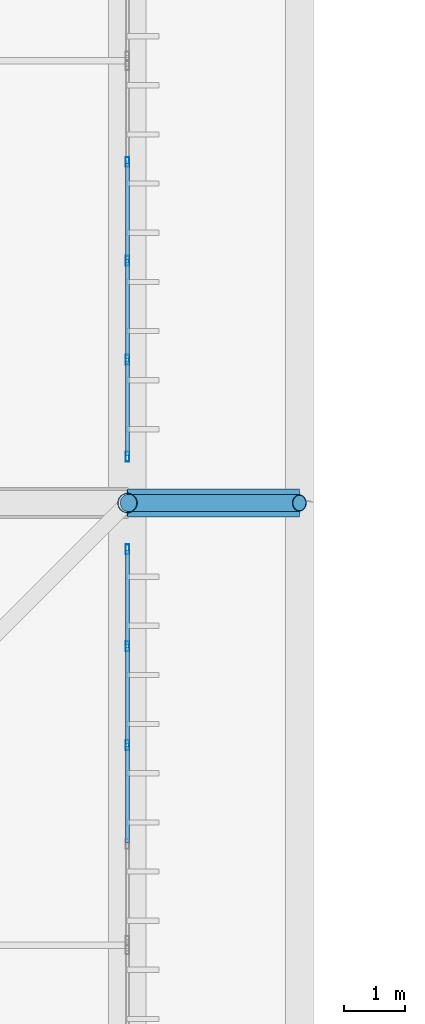
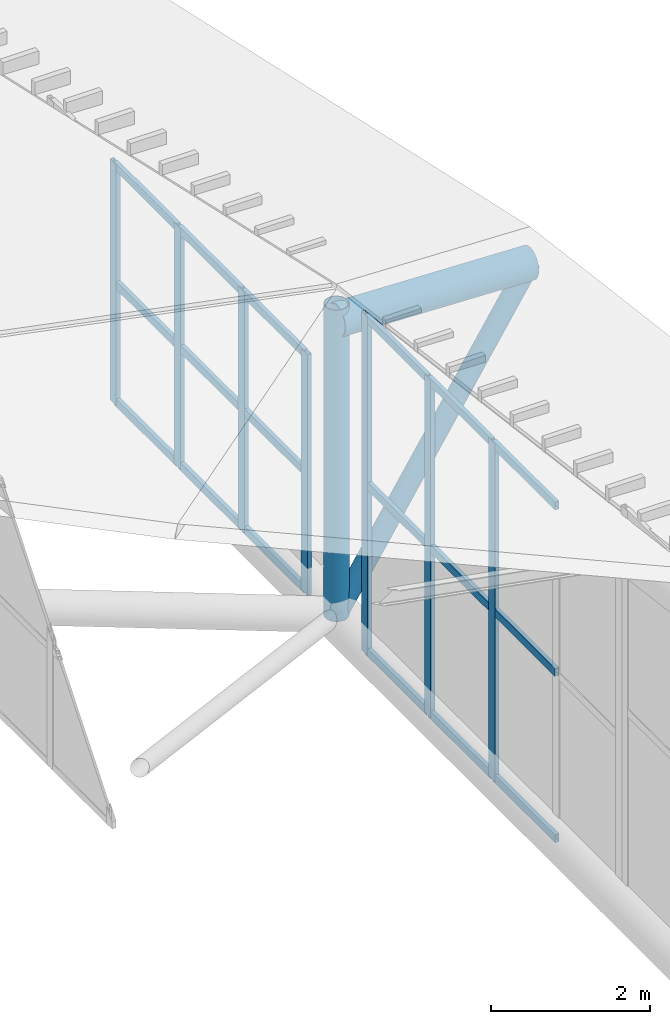
# One storey, part 344 of 397: 27 members, 1 beam, 2 elements without a shape of their own.
"""IFC4 building model written with IfcOpenShell, lengths in metres."""

from ifc_helpers import new_model, si_unit, direction, frame, origin, origin_2d, place, context, subcontext, project, spatial, hollow_rectangle, hollow_circle, extrude, material, material_profile, profile_set, type_object, element, aggregate, save


model = new_model("IFC4")

# Units and contexts
model_context = context("Model", 3, precision=1e-05, world=origin(), true_north=direction((0.0, 1.0)))
body_context = subcontext(model_context, "Body", "Model", "MODEL_VIEW")
ifc_project = project(units=[si_unit("LENGTHUNIT", "METRE"), si_unit("AREAUNIT", "SQUARE_METRE"), si_unit("VOLUMEUNIT", "CUBIC_METRE"), si_unit("PLANEANGLEUNIT", "RADIAN"), si_unit("MASSUNIT", "GRAM", prefix="KILO")], contexts=[model_context])

# Site, building, storey
site_placement = place(None, origin())
site = spatial("IfcSite", under=ifc_project, at=site_placement, CompositionType="ELEMENT")
building_placement = place(site_placement, origin())
building = spatial("IfcBuilding", under=site, at=building_placement, Name="Qandorah Velis Arena", CompositionType="ELEMENT")
storey_placement = place(building_placement, frame((0.0, 0.0, 27.5)))
storey = spatial("IfcBuildingStorey", under=building, at=storey_placement, Name="RF", CompositionType="ELEMENT", Elevation=27.5)

# Curtain wall, members
ifc_material_1 = material(Name="Solar-control low-E double glazing", Category="glass")
curtain_wall_type = type_object("IfcCurtainWallType", Name="ARC-CW-SYS16", PredefinedType="USERDEFINED", material=ifc_material_1)
curtain_wall_1_placement = place(storey_placement, origin())
curtain_wall_1 = element("IfcCurtainWall", 1, at=curtain_wall_1_placement, inside=storey, type_object=curtain_wall_type, Name="Unitised curtain wall CROWN-2-07S2", ObjectType="UNITISED CURTAIN WALL", PredefinedType="USERDEFINED")
ifc_material_2 = material(Name="Champagne-bronze anodized aluminium 6063-T6", Category="aluminium")
ifc_material_profile_1 = material_profile(ifc_material_2, hollow_rectangle(XDim=0.06005859375, YDim=0.159912109375, WallThickness=0.00341796875, at=origin_2d()), Name="ALU MULLION 60x160")
ifc_profile_set_1 = profile_set([ifc_material_profile_1], Name="Champagne-bronze anodized aluminium 6063-T6")
member_type_1 = type_object("IfcMemberType", Name="ARC-CWM-160", PredefinedType="MULLION", material=ifc_profile_set_1)
member_1_placement = place(storey_placement, frame((115.199951171875, 96.857421875, -0.014892578125), z_axis=(0.0, 0.0, 1.0), x_axis=(-1.0, 0.0, 0.0)))
member_1 = element("IfcMember", 2, at=member_1_placement, type_object=member_type_1, Name="CW16 mullion 3", PredefinedType="MULLION", context=body_context, shape_type="SweptSolid", body=[
    extrude(hollow_rectangle(XDim=0.06005859375, YDim=0.159912109375, WallThickness=0.00341796875, at=origin_2d()), origin(), (0.0, 0.0, 1.0), 5.180908203125),
])
member_2_placement = place(storey_placement, frame((115.199951171875, 98.46630859375, -0.014892578125), z_axis=(0.0, 0.0, 1.0), x_axis=(-1.0, 0.0, 0.0)))
member_2 = element("IfcMember", 3, at=member_2_placement, type_object=member_type_1, Name="CW16 mullion 4", PredefinedType="MULLION", context=body_context, shape_type="SweptSolid", body=[
    extrude(hollow_rectangle(XDim=0.06005859375, YDim=0.159912109375, WallThickness=0.00341796875, at=origin_2d()), origin(), (0.0, 0.0, 1.0), 5.180908203125),
])
member_3_placement = place(storey_placement, frame((115.199951171875, 100.044921875, -0.014892578125), z_axis=(0.0, 0.0, 1.0), x_axis=(-1.0, 0.0, 0.0)))
member_3 = element("IfcMember", 4, at=member_3_placement, type_object=member_type_1, Name="CW16 mullion 5", PredefinedType="MULLION", context=body_context, shape_type="SweptSolid", body=[
    extrude(hollow_rectangle(XDim=0.06005859375, YDim=0.159912109375, WallThickness=0.00341796875, at=origin_2d()), origin(), (0.0, 0.0, 1.0), 5.180908203125),
])

curtain_wall_2_placement = place(storey_placement, origin())
curtain_wall_2 = element("IfcCurtainWall", 5, at=curtain_wall_2_placement, inside=storey, type_object=curtain_wall_type, Name="Unitised curtain wall CROWN-2-08S1", ObjectType="UNITISED CURTAIN WALL", PredefinedType="USERDEFINED")
member_4_placement = place(storey_placement, frame((115.199951171875, 101.554931640625, -0.014892578125), z_axis=(0.0, 0.0, 1.0), x_axis=(-1.0, 0.0, 0.0)))
member_4 = element("IfcMember", 6, at=member_4_placement, type_object=member_type_1, Name="CW16 mullion 1", PredefinedType="MULLION", context=body_context, shape_type="SweptSolid", body=[
    extrude(hollow_rectangle(XDim=0.06005859375, YDim=0.159912109375, WallThickness=0.00341796875, at=origin_2d()), origin(), (0.0, 0.0, 1.0), 3.6904296875),
])
member_5_placement = place(storey_placement, frame((115.199951171875, 103.1337890625, -0.014892578125), z_axis=(0.0, 0.0, 1.0), x_axis=(-1.0, 0.0, 0.0)))
member_5 = element("IfcMember", 7, at=member_5_placement, type_object=member_type_1, Name="CW16 mullion 2", PredefinedType="MULLION", context=body_context, shape_type="SweptSolid", body=[
    extrude(hollow_rectangle(XDim=0.06005859375, YDim=0.159912109375, WallThickness=0.00341796875, at=origin_2d()), origin(), (0.0, 0.0, 1.0), 3.6904296875),
])
member_6_placement = place(storey_placement, frame((115.199951171875, 104.742431640625, -0.014892578125), z_axis=(0.0, 0.0, 1.0), x_axis=(-1.0, 0.0, 0.0)))
member_6 = element("IfcMember", 8, at=member_6_placement, type_object=member_type_1, Name="CW16 mullion 3", PredefinedType="MULLION", context=body_context, shape_type="SweptSolid", body=[
    extrude(hollow_rectangle(XDim=0.06005859375, YDim=0.159912109375, WallThickness=0.00341796875, at=origin_2d()), origin(), (0.0, 0.0, 1.0), 3.6904296875),
])
member_7_placement = place(storey_placement, frame((115.199951171875, 106.351318359375, -0.014892578125), z_axis=(0.0, 0.0, 1.0), x_axis=(-1.0, 0.0, 0.0)))
member_7 = element("IfcMember", 9, at=member_7_placement, type_object=member_type_1, Name="CW16 mullion 4", PredefinedType="MULLION", context=body_context, shape_type="SweptSolid", body=[
    extrude(hollow_rectangle(XDim=0.06005859375, YDim=0.159912109375, WallThickness=0.00341796875, at=origin_2d()), origin(), (0.0, 0.0, 1.0), 3.6904296875),
])

# Member
ifc_material_profile_2 = material_profile(ifc_material_2, hollow_rectangle(XDim=0.06005859375, YDim=0.1201171875, WallThickness=0.0029296875, at=origin_2d()), Name="ALU TRANSOM 60x120")
ifc_profile_set_2 = profile_set([ifc_material_profile_2], Name="Champagne-bronze anodized aluminium 6063-T6")
member_type_2 = type_object("IfcMemberType", Name="ARC-CWT-120", PredefinedType="USERDEFINED", material=ifc_profile_set_2)
member_8_placement = place(storey_placement, frame((115.199951171875, 95.266845703125, 0.030029296875), z_axis=(0.0, 1.0, 0.0), x_axis=(-1.0, 0.0, 0.0)))
member_8 = element("IfcMember", 10, at=member_8_placement, type_object=member_type_2, Name="CW16 transom 2.1", ObjectType="TRANSOM", PredefinedType="USERDEFINED", context=body_context, shape_type="SweptSolid", body=[
    extrude(hollow_rectangle(XDim=0.06005859375, YDim=0.1201171875, WallThickness=0.0029296875, at=origin_2d()), origin(), (0.0, 0.0, 1.0), 1.57275390625),
])

member_9_placement = place(storey_placement, frame((115.199951171875, 95.266845703125, 2.575439453125), z_axis=(0.0, 1.0, 0.0), x_axis=(-1.0, 0.0, 0.0)))
member_9 = element("IfcMember", 11, at=member_9_placement, type_object=member_type_2, Name="CW16 transom 2.2", ObjectType="TRANSOM", PredefinedType="USERDEFINED", context=body_context, shape_type="SweptSolid", body=[
    extrude(hollow_rectangle(XDim=0.06005859375, YDim=0.1201171875, WallThickness=0.0029296875, at=origin_2d()), origin(), (0.0, 0.0, 1.0), 1.57275390625),
])

member_10_placement = place(storey_placement, frame((115.199951171875, 95.266845703125, 5.12109375), z_axis=(0.0, 1.0, 0.0), x_axis=(-1.0, 0.0, 0.0)))
member_10 = element("IfcMember", 12, at=member_10_placement, type_object=member_type_2, Name="CW16 transom 2.3", ObjectType="TRANSOM", PredefinedType="USERDEFINED", context=body_context, shape_type="SweptSolid", body=[
    extrude(hollow_rectangle(XDim=0.06005859375, YDim=0.1201171875, WallThickness=0.0029296875, at=origin_2d()), origin(), (0.0, 0.0, 1.0), 1.57275390625),
])

member_11_placement = place(storey_placement, frame((115.199951171875, 96.87548828125, 0.030029296875), z_axis=(0.0, 1.0, 0.0), x_axis=(-1.0, 0.0, 0.0)))
member_11 = element("IfcMember", 13, at=member_11_placement, type_object=member_type_2, Name="CW16 transom 3.1", ObjectType="TRANSOM", PredefinedType="USERDEFINED", context=body_context, shape_type="SweptSolid", body=[
    extrude(hollow_rectangle(XDim=0.06005859375, YDim=0.1201171875, WallThickness=0.0029296875, at=origin_2d()), origin(), (0.0, 0.0, 1.0), 1.57275390625),
])

member_12_placement = place(storey_placement, frame((115.199951171875, 96.87548828125, 2.575439453125), z_axis=(0.0, 1.0, 0.0), x_axis=(-1.0, 0.0, 0.0)))
member_12 = element("IfcMember", 14, at=member_12_placement, type_object=member_type_2, Name="CW16 transom 3.2", ObjectType="TRANSOM", PredefinedType="USERDEFINED", context=body_context, shape_type="SweptSolid", body=[
    extrude(hollow_rectangle(XDim=0.06005859375, YDim=0.1201171875, WallThickness=0.0029296875, at=origin_2d()), origin(), (0.0, 0.0, 1.0), 1.57275390625),
])

member_13_placement = place(storey_placement, frame((115.199951171875, 96.87548828125, 5.12109375), z_axis=(0.0, 1.0, 0.0), x_axis=(-1.0, 0.0, 0.0)))
member_13 = element("IfcMember", 15, at=member_13_placement, type_object=member_type_2, Name="CW16 transom 3.3", ObjectType="TRANSOM", PredefinedType="USERDEFINED", context=body_context, shape_type="SweptSolid", body=[
    extrude(hollow_rectangle(XDim=0.06005859375, YDim=0.1201171875, WallThickness=0.0029296875, at=origin_2d()), origin(), (0.0, 0.0, 1.0), 1.57275390625),
])

member_14_placement = place(storey_placement, frame((115.199951171875, 98.484375, 0.030029296875), z_axis=(0.0, 1.0, 0.0), x_axis=(-1.0, 0.0, 0.0)))
member_14 = element("IfcMember", 16, at=member_14_placement, type_object=member_type_2, Name="CW16 transom 4.1", ObjectType="TRANSOM", PredefinedType="USERDEFINED", context=body_context, shape_type="SweptSolid", body=[
    extrude(hollow_rectangle(XDim=0.06005859375, YDim=0.1201171875, WallThickness=0.0029296875, at=origin_2d()), origin(), (0.0, 0.0, 1.0), 1.542724609375),
])

member_15_placement = place(storey_placement, frame((115.199951171875, 98.484375, 2.575439453125), z_axis=(0.0, 1.0, 0.0), x_axis=(-1.0, 0.0, 0.0)))
member_15 = element("IfcMember", 17, at=member_15_placement, type_object=member_type_2, Name="CW16 transom 4.2", ObjectType="TRANSOM", PredefinedType="USERDEFINED", context=body_context, shape_type="SweptSolid", body=[
    extrude(hollow_rectangle(XDim=0.06005859375, YDim=0.1201171875, WallThickness=0.0029296875, at=origin_2d()), origin(), (0.0, 0.0, 1.0), 1.542724609375),
])

member_16_placement = place(storey_placement, frame((115.199951171875, 98.484375, 5.12109375), z_axis=(0.0, 1.0, 0.0), x_axis=(-1.0, 0.0, 0.0)))
member_16 = element("IfcMember", 18, at=member_16_placement, type_object=member_type_2, Name="CW16 transom 4.3", ObjectType="TRANSOM", PredefinedType="USERDEFINED", context=body_context, shape_type="SweptSolid", body=[
    extrude(hollow_rectangle(XDim=0.06005859375, YDim=0.1201171875, WallThickness=0.0029296875, at=origin_2d()), origin(), (0.0, 0.0, 1.0), 1.542724609375),
])

aggregate(curtain_wall_1, [member_1, member_2, member_3, member_8, member_9, member_10, member_11, member_12, member_13, member_14, member_15, member_16])

member_17_placement = place(storey_placement, frame((115.199951171875, 101.572998046875, 0.030029296875), z_axis=(0.0, 1.0, 0.0), x_axis=(-1.0, 0.0, 0.0)))
member_17 = element("IfcMember", 19, at=member_17_placement, type_object=member_type_2, Name="CW16 transom 1.1", ObjectType="TRANSOM", PredefinedType="USERDEFINED", context=body_context, shape_type="SweptSolid", body=[
    extrude(hollow_rectangle(XDim=0.06005859375, YDim=0.1201171875, WallThickness=0.0029296875, at=origin_2d()), origin(), (0.0, 0.0, 1.0), 1.542724609375),
])

member_18_placement = place(storey_placement, frame((115.199951171875, 101.572998046875, 1.830078125), z_axis=(0.0, 1.0, 0.0), x_axis=(-1.0, 0.0, 0.0)))
member_18 = element("IfcMember", 20, at=member_18_placement, type_object=member_type_2, Name="CW16 transom 1.2", ObjectType="TRANSOM", PredefinedType="USERDEFINED", context=body_context, shape_type="SweptSolid", body=[
    extrude(hollow_rectangle(XDim=0.06005859375, YDim=0.1201171875, WallThickness=0.0029296875, at=origin_2d()), origin(), (0.0, 0.0, 1.0), 1.542724609375),
])

member_19_placement = place(storey_placement, frame((115.199951171875, 101.572998046875, 3.630615234375), z_axis=(0.0, 1.0, 0.0), x_axis=(-1.0, 0.0, 0.0)))
member_19 = element("IfcMember", 21, at=member_19_placement, type_object=member_type_2, Name="CW16 transom 1.3", ObjectType="TRANSOM", PredefinedType="USERDEFINED", context=body_context, shape_type="SweptSolid", body=[
    extrude(hollow_rectangle(XDim=0.06005859375, YDim=0.1201171875, WallThickness=0.0029296875, at=origin_2d()), origin(), (0.0, 0.0, 1.0), 1.542724609375),
])

member_20_placement = place(storey_placement, frame((115.199951171875, 103.15185546875, 0.030029296875), z_axis=(0.0, 1.0, 0.0), x_axis=(-1.0, 0.0, 0.0)))
member_20 = element("IfcMember", 22, at=member_20_placement, type_object=member_type_2, Name="CW16 transom 2.1", ObjectType="TRANSOM", PredefinedType="USERDEFINED", context=body_context, shape_type="SweptSolid", body=[
    extrude(hollow_rectangle(XDim=0.06005859375, YDim=0.1201171875, WallThickness=0.0029296875, at=origin_2d()), origin(), (0.0, 0.0, 1.0), 1.57275390625),
])

member_21_placement = place(storey_placement, frame((115.199951171875, 103.15185546875, 1.830078125), z_axis=(0.0, 1.0, 0.0), x_axis=(-1.0, 0.0, 0.0)))
member_21 = element("IfcMember", 23, at=member_21_placement, type_object=member_type_2, Name="CW16 transom 2.2", ObjectType="TRANSOM", PredefinedType="USERDEFINED", context=body_context, shape_type="SweptSolid", body=[
    extrude(hollow_rectangle(XDim=0.06005859375, YDim=0.1201171875, WallThickness=0.0029296875, at=origin_2d()), origin(), (0.0, 0.0, 1.0), 1.57275390625),
])

member_22_placement = place(storey_placement, frame((115.199951171875, 103.15185546875, 3.630615234375), z_axis=(0.0, 1.0, 0.0), x_axis=(-1.0, 0.0, 0.0)))
member_22 = element("IfcMember", 24, at=member_22_placement, type_object=member_type_2, Name="CW16 transom 2.3", ObjectType="TRANSOM", PredefinedType="USERDEFINED", context=body_context, shape_type="SweptSolid", body=[
    extrude(hollow_rectangle(XDim=0.06005859375, YDim=0.1201171875, WallThickness=0.0029296875, at=origin_2d()), origin(), (0.0, 0.0, 1.0), 1.57275390625),
])

member_23_placement = place(storey_placement, frame((115.199951171875, 104.760498046875, 0.030029296875), z_axis=(0.0, 1.0, 0.0), x_axis=(-1.0, 0.0, 0.0)))
member_23 = element("IfcMember", 25, at=member_23_placement, type_object=member_type_2, Name="CW16 transom 3.1", ObjectType="TRANSOM", PredefinedType="USERDEFINED", context=body_context, shape_type="SweptSolid", body=[
    extrude(hollow_rectangle(XDim=0.06005859375, YDim=0.1201171875, WallThickness=0.0029296875, at=origin_2d()), origin(), (0.0, 0.0, 1.0), 1.57275390625),
])

member_24_placement = place(storey_placement, frame((115.199951171875, 104.760498046875, 1.830078125), z_axis=(0.0, 1.0, 0.0), x_axis=(-1.0, 0.0, 0.0)))
member_24 = element("IfcMember", 26, at=member_24_placement, type_object=member_type_2, Name="CW16 transom 3.2", ObjectType="TRANSOM", PredefinedType="USERDEFINED", context=body_context, shape_type="SweptSolid", body=[
    extrude(hollow_rectangle(XDim=0.06005859375, YDim=0.1201171875, WallThickness=0.0029296875, at=origin_2d()), origin(), (0.0, 0.0, 1.0), 1.57275390625),
])

member_25_placement = place(storey_placement, frame((115.199951171875, 104.760498046875, 3.630615234375), z_axis=(0.0, 1.0, 0.0), x_axis=(-1.0, 0.0, 0.0)))
member_25 = element("IfcMember", 27, at=member_25_placement, type_object=member_type_2, Name="CW16 transom 3.3", ObjectType="TRANSOM", PredefinedType="USERDEFINED", context=body_context, shape_type="SweptSolid", body=[
    extrude(hollow_rectangle(XDim=0.06005859375, YDim=0.1201171875, WallThickness=0.0029296875, at=origin_2d()), origin(), (0.0, 0.0, 1.0), 1.57275390625),
])

aggregate(curtain_wall_2, [member_4, member_5, member_6, member_7, member_17, member_18, member_19, member_20, member_21, member_22, member_23, member_24, member_25])

# Beam
ifc_material_3 = material(Name="Steel S355", Category="steel")
ifc_material_profile_3 = material_profile(ifc_material_3, hollow_circle(Radius=0.228515625, WallThickness=0.01611328125, at=origin_2d()), Name="CHS 457x16")
ifc_profile_set_3 = profile_set([ifc_material_profile_3], Name="Steel S355")
beam_type = type_object("IfcBeamType", Name="STR-SFC-CHS457X16", PredefinedType="USERDEFINED", material=ifc_profile_set_3)
beam_placement = place(storey_placement, frame((115.199951171875, 100.800048828125, 4.6083984375), z_axis=(0.99936163275, 0.0, -0.035725718844), x_axis=(0.0, 1.0, 0.0)))
element("IfcBeam", 28, at=beam_placement, inside=storey, type_object=beam_type, Name="Space frame eave outrigger E-6", ObjectType="ROOF TRUSS", PredefinedType="USERDEFINED", context=body_context, shape_type="SweptSolid", body=[
    extrude(hollow_circle(Radius=0.228515625, WallThickness=0.01611328125, at=origin_2d()), origin(), (0.0, 0.0, 1.0), 2.8017578125),
])

# Members
ifc_material_profile_4 = material_profile(ifc_material_3, hollow_circle(Radius=0.136474609375, WallThickness=0.012451171875, at=origin_2d()), Name="CHS 273x12.5")
ifc_profile_set_4 = profile_set([ifc_material_profile_4], Name="Steel S355")
member_type_3 = type_object("IfcMemberType", Name="STR-SFD-CHS273X12", PredefinedType="STRUT", material=ifc_profile_set_4)
member_26_placement = place(storey_placement, frame((115.199951171875, 100.800048828125, 0.10009765625), z_axis=(0.536170486759, 0.0, 0.844109713917), x_axis=(0.0, 1.0, 0.0)))
element("IfcMember", 29, at=member_26_placement, inside=storey, type_object=member_type_3, Name="Space frame eave raking strut E-6", PredefinedType="STRUT", context=body_context, shape_type="SweptSolid", body=[
    extrude(hollow_circle(Radius=0.136474609375, WallThickness=0.012451171875, at=origin_2d()), origin(), (0.0, 0.0, 1.0), 5.222412109375),
])
ifc_material_profile_5 = material_profile(ifc_material_3, hollow_circle(Radius=0.161865234375, WallThickness=0.012451171875, at=origin_2d()), Name="CHS 323.9x12.5")
ifc_profile_set_5 = profile_set([ifc_material_profile_5], Name="Steel S355")
member_type_4 = type_object("IfcMemberType", Name="STR-SFD-CHS323X12", PredefinedType="CHORD", material=ifc_profile_set_5)
member_27_placement = place(storey_placement, frame((115.199951171875, 100.800048828125, 0.10009765625), z_axis=(0.0, 0.0, 1.0), x_axis=(1.0, 0.0, 0.0)))
element("IfcMember", 30, at=member_27_placement, inside=storey, type_object=member_type_4, Name="Space frame roof vertical post 7.6", PredefinedType="CHORD", context=body_context, shape_type="SweptSolid", body=[
    extrude(hollow_circle(Radius=0.161865234375, WallThickness=0.012451171875, at=origin_2d()), origin(), (0.0, 0.0, 1.0), 4.768310546875),
])

save(model, "model.ifc")
